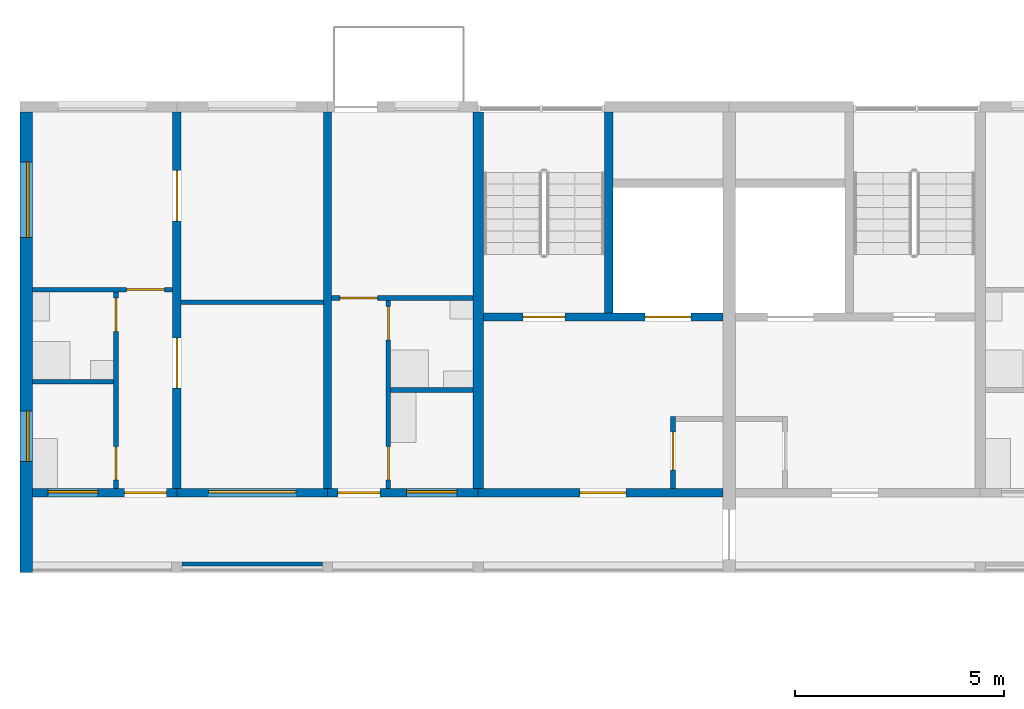
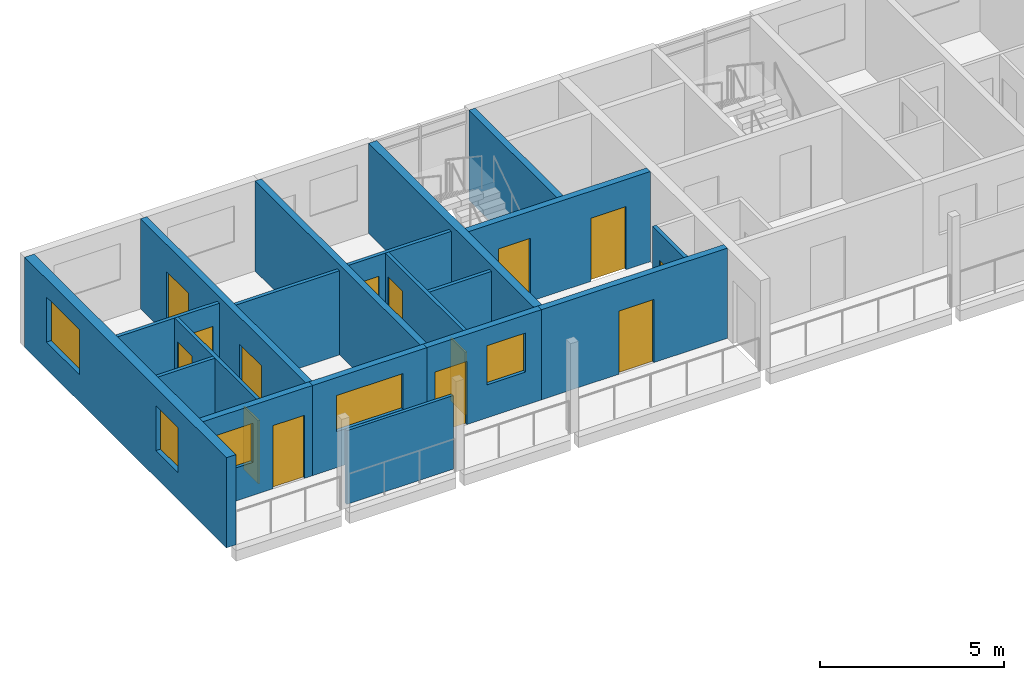
# One storey, part 35 of 100: 19 walls, 14 doors, 5 windows, 19 openings.
"""IFC4 building model written with IfcOpenShell, lengths in metres."""

from ifc_helpers import new_model, si_unit, direction, frame, frame_2d, origin, place, context, subcontext, project, spatial, rectangle, extrude, material, layer, layer_set, type_object, element, fill, save


model = new_model("IFC4")

# Units and contexts
model_context = context("Model", 3, precision=1e-05, world=origin(), true_north=direction((0.0, 1.0)))
body_context = subcontext(model_context, "Body", "Model", "MODEL_VIEW")
ifc_project = project(units=[si_unit("LENGTHUNIT", "METRE"), si_unit("AREAUNIT", "SQUARE_METRE"), si_unit("VOLUMEUNIT", "CUBIC_METRE"), si_unit("PLANEANGLEUNIT", "RADIAN"), si_unit("MASSUNIT", "GRAM", prefix="KILO")], contexts=[model_context])

# Site, building, storey
site_placement = place(None, origin())
site = spatial("IfcSite", under=ifc_project, at=site_placement, CompositionType="ELEMENT")
building_placement = place(site_placement, origin())
building = spatial("IfcBuilding", under=site, at=building_placement, Name="Ridgestep Commons", CompositionType="ELEMENT")
storey_placement = place(building_placement, frame((0.0, 0.0, 9.0)))
storey = spatial("IfcBuildingStorey", under=building, at=storey_placement, Name="L03", CompositionType="ELEMENT", Elevation=9.0)

# Wall
ifc_material_1 = material(Name="Concrete C30/37", Category="concrete")
ifc_layer_1 = layer(ifc_material_1, 0.25)
ifc_layer_set_1 = layer_set([ifc_layer_1], Name="Core cross wall 250")
wall_type_1 = type_object("IfcWallType", Name="Core cross wall 250", PredefinedType="SHEAR", material=ifc_layer_set_1)
wall_1_placement = place(storey_placement, frame((22.800048828125, 68.0, 0.0), z_axis=(0.0, 0.0, 1.0), x_axis=(0.0, 1.0, 0.0)))
element("IfcWall", 1, at=wall_1_placement, inside=storey, type_object=wall_type_1, Name="Cross wall B-03-0228", PredefinedType="SHEAR", context=body_context, shape_type="SweptSolid", body=[
    extrude(rectangle(XDim=9.0, YDim=0.25, at=frame_2d((4.5, 0.0))), origin(), (0.0, 0.0, 1.0), 3.0),
])

# Wall, opening, door
ifc_material_2 = material(Name="Concrete C30/37", Category="concrete")
ifc_layer_2 = layer(ifc_material_2, 0.199951171875)
ifc_layer_set_2 = layer_set([ifc_layer_2], Name="Core south wall 200")
wall_type_2 = type_object("IfcWallType", Name="Core south wall 200", PredefinedType="SHEAR", material=ifc_layer_set_2)
wall_2_placement = place(storey_placement, frame((22.800048828125, 67.89990234375, 0.0), z_axis=(0.0, 0.0, 1.0), x_axis=(1.0, 0.0, 0.0)))
wall_2 = element("IfcWall", 2, at=wall_2_placement, inside=storey, type_object=wall_type_2, Name="Core south wall B1C L03", PredefinedType="SHEAR", context=body_context, shape_type="SweptSolid", body=[
    extrude(rectangle(XDim=5.849853515625, YDim=0.199951171875, at=frame_2d((2.9248046875, 0.0))), origin(), (0.0, 0.0, 1.0), 3.0),
])
opening_1_placement = place(wall_2_placement, frame((2.4375, 0.0, 0.0)))
opening_1 = element("IfcOpeningElement", 3, at=opening_1_placement, cuts=wall_2, Name="Opening B1C/03/1", PredefinedType="OPENING", context=body_context, shape_type="SweptSolid", body=[
    extrude(rectangle(XDim=1.10009765625, YDim=2.10009765625, at=frame_2d((0.550048828125, 1.050048828125))), frame((0.0, 0.10986328125, 0.0), z_axis=(0.0, -1.0, 0.0), x_axis=(1.0, 0.0, 0.0)), (0.0, 0.0, 1.0), 0.219970703125),
])
ifc_material_3 = material(Name="Steel fire door", Category="steel")
door_type_1 = type_object("IfcDoorType", Name="Lobby door 1100 x 2100 FD60", OperationType="NOTDEFINED", PredefinedType="DOOR", material=ifc_material_3)
door_1_placement = place(opening_1_placement, origin())
door_1 = element("IfcDoor", 4, at=door_1_placement, inside=storey, type_object=door_type_1, Name="Lobby door B1C/03/1", OperationType="SINGLE_SWING_LEFT", OverallHeight=2.10009765625, OverallWidth=1.10009765625, PredefinedType="DOOR", context=body_context, shape_type="SweptSolid", body=[
    extrude(rectangle(XDim=1.10009765625, YDim=2.10009765625, at=frame_2d((0.550048828125, 1.050048828125))), frame((0.0, 0.02490234375, 0.0), z_axis=(0.0, -1.0, 0.0), x_axis=(1.0, 0.0, 0.0)), (0.0, 0.0, 1.0), 0.050048828125),
])
fill(opening_1, door_1)

ifc_material_4 = material(Name="Concrete C30/37", Category="concrete")
ifc_layer_3 = layer(ifc_material_4, 0.1201171875)
ifc_layer_set_3 = layer_set([ifc_layer_3], Name="Core wall 120")
wall_type_3 = type_object("IfcWallType", Name="Core wall 120", PredefinedType="SHEAR", material=ifc_layer_set_3)
wall_3_placement = place(storey_placement, frame((27.4599609375, 68.0, 0.0), z_axis=(0.0, 0.0, 1.0), x_axis=(0.0, 1.0, 0.0)))
wall_3 = element("IfcWall", 5, at=wall_3_placement, inside=storey, type_object=wall_type_3, Name="Core riser w wall B1C L03", PredefinedType="SHEAR", context=body_context, shape_type="SweptSolid", body=[
    extrude(rectangle(XDim=1.719970703125, YDim=0.1201171875, at=frame_2d((0.85986328125, 0.0))), origin(), (0.0, 0.0, 1.0), 3.0),
])
opening_2_placement = place(wall_3_placement, frame((0.449951171875, 0.0, 0.0)))
opening_2 = element("IfcOpeningElement", 6, at=opening_2_placement, cuts=wall_3, Name="Opening B1C/03/4", PredefinedType="OPENING", context=body_context, shape_type="SweptSolid", body=[
    extrude(rectangle(XDim=0.89990234375, YDim=2.10009765625, at=frame_2d((0.449951171875, 1.050048828125))), frame((0.0, 0.070068359375, 0.0), z_axis=(0.0, -1.0, 0.0), x_axis=(1.0, 0.0, 0.0)), (0.0, 0.0, 1.0), 0.14013671875),
])
ifc_material_5 = material(Name="Steel fire door", Category="steel")
door_type_2 = type_object("IfcDoorType", Name="Riser door 900 x 2100 FD60", OperationType="NOTDEFINED", PredefinedType="DOOR", material=ifc_material_5)
door_2_placement = place(opening_2_placement, origin())
door_2 = element("IfcDoor", 7, at=door_2_placement, inside=storey, type_object=door_type_2, Name="Riser door B1C/03/4", OperationType="SINGLE_SWING_LEFT", OverallHeight=2.10009765625, OverallWidth=0.89990234375, PredefinedType="DOOR", context=body_context, shape_type="SweptSolid", body=[
    extrude(rectangle(XDim=0.89990234375, YDim=2.10009765625, at=frame_2d((0.449951171875, 1.050048828125))), frame((0.0, 0.02490234375, 0.0), z_axis=(0.0, -1.0, 0.0), x_axis=(1.0, 0.0, 0.0)), (0.0, 0.0, 1.0), 0.050048828125),
])
fill(opening_2, door_2)

# Wall, openings, doors
ifc_material_6 = material(Name="Concrete C30/37", Category="concrete")
ifc_layer_4 = layer(ifc_material_6, 0.199951171875)
ifc_layer_set_4 = layer_set([ifc_layer_4], Name="Core wall 200")
wall_type_4 = type_object("IfcWallType", Name="Core wall 200", PredefinedType="SHEAR", material=ifc_layer_set_4)
wall_4_placement = place(storey_placement, frame((22.925048828125, 72.10009765625, 0.0), z_axis=(0.0, 0.0, 1.0), x_axis=(1.0, 0.0, 0.0)))
wall_4 = element("IfcWall", 8, at=wall_4_placement, inside=storey, type_object=wall_type_4, Name="Core lobby wall B1C L03", PredefinedType="SHEAR", context=body_context, shape_type="SweptSolid", body=[
    extrude(rectangle(XDim=5.724853515625, YDim=0.199951171875, at=frame_2d((2.8623046875, 0.0))), origin(), (0.0, 0.0, 1.0), 3.0),
])
opening_3_placement = place(wall_4_placement, frame((0.949951171875, 0.0, 0.0)))
opening_3 = element("IfcOpeningElement", 9, at=opening_3_placement, cuts=wall_4, Name="Opening B1C/03/2", PredefinedType="OPENING", context=body_context, shape_type="SweptSolid", body=[
    extrude(rectangle(XDim=1.0, YDim=2.10009765625, at=frame_2d((0.5, 1.050048828125))), frame((0.0, 0.10986328125, 0.0), z_axis=(0.0, -1.0, 0.0), x_axis=(1.0, 0.0, 0.0)), (0.0, 0.0, 1.0), 0.219970703125),
])
opening_4_placement = place(wall_4_placement, frame((3.862548828125, 0.0, 0.0)))
opening_4 = element("IfcOpeningElement", 10, at=opening_4_placement, cuts=wall_4, Name="Opening B1C/03/3", PredefinedType="OPENING", context=body_context, shape_type="SweptSolid", body=[
    extrude(rectangle(XDim=1.10009765625, YDim=2.10009765625, at=frame_2d((0.550048828125, 1.050048828125))), frame((0.0, 0.10986328125, 0.0), z_axis=(0.0, -1.0, 0.0), x_axis=(1.0, 0.0, 0.0)), (0.0, 0.0, 1.0), 0.219970703125),
])
ifc_material_7 = material(Name="Stainless steel", Category="steel")
door_type_3 = type_object("IfcDoorType", Name="Lift landing door 1100 x 2100 FD60", OperationType="DOUBLE_DOOR_SLIDING", PredefinedType="DOOR", material=ifc_material_7)
door_3_placement = place(opening_4_placement, origin())
door_3 = element("IfcDoor", 11, at=door_3_placement, inside=storey, type_object=door_type_3, Name="Landing door LD B1C L03", OperationType="DOUBLE_DOOR_SLIDING", OverallHeight=2.10009765625, OverallWidth=1.10009765625, PredefinedType="DOOR", context=body_context, shape_type="SweptSolid", body=[
    extrude(rectangle(XDim=1.10009765625, YDim=2.10009765625, at=frame_2d((0.550048828125, 1.050048828125))), frame((0.0, 0.02490234375, 0.0), z_axis=(0.0, -1.0, 0.0), x_axis=(1.0, 0.0, 0.0)), (0.0, 0.0, 1.0), 0.050048828125),
])
fill(opening_4, door_3)
ifc_material_8 = material(Name="Steel fire door", Category="steel")
door_type_4 = type_object("IfcDoorType", Name="Stair door 1000 x 2100 FD60", OperationType="NOTDEFINED", PredefinedType="DOOR", material=ifc_material_8)
door_4_placement = place(opening_3_placement, origin())
door_4 = element("IfcDoor", 12, at=door_4_placement, inside=storey, type_object=door_type_4, Name="Stair door B1C/03/2", OperationType="SINGLE_SWING_RIGHT", OverallHeight=2.10009765625, OverallWidth=1.0, PredefinedType="DOOR", context=body_context, shape_type="SweptSolid", body=[
    extrude(rectangle(XDim=1.0, YDim=2.10009765625, at=frame_2d((0.5, 1.050048828125))), frame((0.0, 0.02490234375, 0.0), z_axis=(0.0, -1.0, 0.0), x_axis=(1.0, 0.0, 0.0)), (0.0, 0.0, 1.0), 0.050048828125),
])
fill(opening_3, door_4)

# Wall
wall_5_placement = place(storey_placement, frame((25.925048828125, 72.199951171875, 0.0), z_axis=(0.0, 0.0, 1.0), x_axis=(0.0, 1.0, 0.0)))
element("IfcWall", 13, at=wall_5_placement, inside=storey, type_object=wall_type_4, Name="Core stair wall B1C L03", PredefinedType="SHEAR", context=body_context, shape_type="SweptSolid", body=[
    extrude(rectangle(XDim=4.800048828125, YDim=0.199951171875, at=frame_2d((2.39990234375, 0.0))), origin(), (0.0, 0.0, 1.0), 3.0),
])

# Wall, openings, doors
ifc_material_9 = material(Name="Precast concrete C40/50", Category="concrete")
ifc_layer_5 = layer(ifc_material_9, 0.199951171875)
ifc_layer_set_5 = layer_set([ifc_layer_5], Name="Cross wall 200")
wall_type_5 = type_object("IfcWallType", Name="Cross wall 200", PredefinedType="SHEAR", material=ifc_layer_set_5)
wall_6_placement = place(storey_placement, frame((15.60009765625, 68.0, 0.0), z_axis=(0.0, 0.0, 1.0), x_axis=(0.0, 1.0, 0.0)))
wall_6 = element("IfcWall", 14, at=wall_6_placement, inside=storey, type_object=wall_type_5, Name="Cross wall B-03-0156", PredefinedType="SHEAR", context=body_context, shape_type="SweptSolid", body=[
    extrude(rectangle(XDim=9.0, YDim=0.199951171875, at=frame_2d((4.5, 0.0))), origin(), (0.0, 0.0, 1.0), 3.0),
])
opening_5_placement = place(wall_6_placement, frame((2.39990234375, 0.0, 0.0)))
opening_5 = element("IfcOpeningElement", 15, at=opening_5_placement, cuts=wall_6, Name="Opening B1-03a/5", PredefinedType="OPENING", context=body_context, shape_type="SweptSolid", body=[
    extrude(rectangle(XDim=1.199951171875, YDim=2.10009765625, at=frame_2d((0.60009765625, 1.050048828125))), frame((0.0, 0.10986328125, 0.0), z_axis=(0.0, -1.0, 0.0), x_axis=(1.0, 0.0, 0.0)), (0.0, 0.0, 1.0), 0.219970703125),
])
opening_6_placement = place(wall_6_placement, frame((6.39990234375, 0.0, 0.0)))
opening_6 = element("IfcOpeningElement", 16, at=opening_6_placement, cuts=wall_6, Name="Opening B1-03a/6", PredefinedType="OPENING", context=body_context, shape_type="SweptSolid", body=[
    extrude(rectangle(XDim=1.199951171875, YDim=2.10009765625, at=frame_2d((0.60009765625, 1.050048828125))), frame((0.0, 0.10986328125, 0.0), z_axis=(0.0, -1.0, 0.0), x_axis=(1.0, 0.0, 0.0)), (0.0, 0.0, 1.0), 0.219970703125),
])
ifc_material_10 = material(Name="Timber door leaf", Category="wood")
door_type_5 = type_object("IfcDoorType", Name="Double door 1200 x 2100", OperationType="DOUBLE_DOOR_SINGLE_SWING", PredefinedType="DOOR", material=ifc_material_10)
door_5_placement = place(opening_5_placement, origin())
door_5 = element("IfcDoor", 17, at=door_5_placement, inside=storey, type_object=door_type_5, Name="Double door B1-03a/5", OperationType="DOUBLE_DOOR_SINGLE_SWING", OverallHeight=2.10009765625, OverallWidth=1.199951171875, PredefinedType="DOOR", context=body_context, shape_type="SweptSolid", body=[
    extrude(rectangle(XDim=1.199951171875, YDim=2.10009765625, at=frame_2d((0.60009765625, 1.050048828125))), frame((0.0, 0.02490234375, 0.0), z_axis=(0.0, -1.0, 0.0), x_axis=(1.0, 0.0, 0.0)), (0.0, 0.0, 1.0), 0.050048828125),
])
fill(opening_5, door_5)
door_6_placement = place(opening_6_placement, origin())
door_6 = element("IfcDoor", 18, at=door_6_placement, inside=storey, type_object=door_type_5, Name="Double door B1-03a/6", OperationType="DOUBLE_DOOR_SINGLE_SWING", OverallHeight=2.10009765625, OverallWidth=1.199951171875, PredefinedType="DOOR", context=body_context, shape_type="SweptSolid", body=[
    extrude(rectangle(XDim=1.199951171875, YDim=2.10009765625, at=frame_2d((0.60009765625, 1.050048828125))), frame((0.0, 0.02490234375, 0.0), z_axis=(0.0, -1.0, 0.0), x_axis=(1.0, 0.0, 0.0)), (0.0, 0.0, 1.0), 0.050048828125),
])
fill(opening_6, door_6)

# Wall
wall_7_placement = place(storey_placement, frame((19.199951171875, 68.0, 0.0), z_axis=(0.0, 0.0, 1.0), x_axis=(0.0, 1.0, 0.0)))
element("IfcWall", 19, at=wall_7_placement, inside=storey, type_object=wall_type_5, Name="Cross wall B-03-0192", PredefinedType="SHEAR", context=body_context, shape_type="SweptSolid", body=[
    extrude(rectangle(XDim=9.0, YDim=0.199951171875, at=frame_2d((4.5, 0.0))), origin(), (0.0, 0.0, 1.0), 3.0),
])

# Wall, openings, windows
ifc_material_11 = material(Name="Precast concrete C40/50", Category="concrete")
ifc_layer_6 = layer(ifc_material_11, 0.300048828125)
ifc_layer_set_6 = layer_set([ifc_layer_6], Name="Exposed division wall 300")
wall_type_6 = type_object("IfcWallType", Name="Exposed division wall 300", PredefinedType="SHEAR", material=ifc_layer_set_6)
wall_8_placement = place(storey_placement, frame((12.0, 66.0, 0.0), z_axis=(0.0, 0.0, 1.0), x_axis=(0.0, 1.0, 0.0)))
wall_8 = element("IfcWall", 20, at=wall_8_placement, inside=storey, type_object=wall_type_6, Name="Cross wall B-03-0120", PredefinedType="SHEAR", context=body_context, shape_type="SweptSolid", body=[
    extrude(rectangle(XDim=11.0, YDim=0.300048828125, at=frame_2d((5.5, 0.0))), origin(), (0.0, 0.0, 1.0), 3.0),
])
opening_7_placement = place(wall_8_placement, frame((2.64990234375, 0.0, 0.89990234375)))
opening_7 = element("IfcOpeningElement", 21, at=opening_7_placement, cuts=wall_8, Name="Opening W10", PredefinedType="OPENING", context=body_context, shape_type="SweptSolid", body=[
    extrude(rectangle(XDim=1.199951171875, YDim=1.5, at=frame_2d((0.60009765625, 0.75))), frame((0.0, 0.159912109375, 0.0), z_axis=(0.0, -1.0, 0.0), x_axis=(1.0, 0.0, 0.0)), (0.0, 0.0, 1.0), 0.320068359375),
])
opening_8_placement = place(wall_8_placement, frame((8.0048828125, 0.0, 0.89990234375)))
opening_8 = element("IfcOpeningElement", 22, at=opening_8_placement, cuts=wall_8, Name="Opening W20", PredefinedType="OPENING", context=body_context, shape_type="SweptSolid", body=[
    extrude(rectangle(XDim=1.800048828125, YDim=1.5, at=frame_2d((0.89990234375, 0.75))), frame((0.0, 0.159912109375, 0.0), z_axis=(0.0, -1.0, 0.0), x_axis=(1.0, 0.0, 0.0)), (0.0, 0.0, 1.0), 0.320068359375),
])
ifc_material_12 = material(Name="Aluminium 6063-T6 and glass", Category="aluminium")
window_type_1 = type_object("IfcWindowType", Name="Flat window 1200 x 1500", PartitioningType="SINGLE_PANEL", PredefinedType="WINDOW", material=ifc_material_12)
window_1_placement = place(opening_7_placement, origin())
window_1 = element("IfcWindow", 23, at=window_1_placement, inside=storey, type_object=window_type_1, Name="Window B1-03a 5", OverallHeight=1.5, OverallWidth=1.199951171875, PartitioningType="SINGLE_PANEL", PredefinedType="WINDOW", context=body_context, shape_type="SweptSolid", body=[
    extrude(rectangle(XDim=1.199951171875, YDim=1.5, at=frame_2d((0.60009765625, 0.75))), frame((0.0, 0.0, 0.0), z_axis=(0.0, -1.0, 0.0), x_axis=(1.0, 0.0, 0.0)), (0.0, 0.0, 1.0), 0.06005859375),
])
fill(opening_7, window_1)
ifc_material_13 = material(Name="Aluminium 6063-T6 and glass", Category="aluminium")
window_type_2 = type_object("IfcWindowType", Name="Flat window 1800 x 1500", PartitioningType="DOUBLE_PANEL_VERTICAL", PredefinedType="WINDOW", material=ifc_material_13)
window_2_placement = place(opening_8_placement, origin())
window_2 = element("IfcWindow", 24, at=window_2_placement, inside=storey, type_object=window_type_2, Name="Window B1-03a 6", OverallHeight=1.5, OverallWidth=1.800048828125, PartitioningType="SINGLE_PANEL", PredefinedType="WINDOW", context=body_context, shape_type="SweptSolid", body=[
    extrude(rectangle(XDim=1.800048828125, YDim=1.5, at=frame_2d((0.89990234375, 0.75))), frame((0.0, 0.0, 0.0), z_axis=(0.0, -1.0, 0.0), x_axis=(1.0, 0.0, 0.0)), (0.0, 0.0, 1.0), 0.06005859375),
])
fill(opening_8, window_2)

# Wall
ifc_material_14 = material(Name="Common brick 110 mm", Category="masonry")
ifc_layer_7 = layer(ifc_material_14, 0.110107421875)
ifc_layer_set_7 = layer_set([ifc_layer_7], Name="Partition 110")
wall_type_7 = type_object("IfcWallType", Name="Partition 110", PredefinedType="PARTITIONING", material=ifc_layer_set_7)
wall_9_placement = place(storey_placement, frame((12.14990234375, 70.554931640625, 0.0), z_axis=(0.0, 0.0, 1.0), x_axis=(1.0, 0.0, 0.0)))
element("IfcWall", 25, at=wall_9_placement, inside=storey, type_object=wall_type_7, Name="Partition B1-03a", PredefinedType="PARTITIONING", context=body_context, shape_type="SweptSolid", body=[
    extrude(rectangle(XDim=1.940185546875, YDim=0.110107421875, at=frame_2d((0.97021484375, 0.0))), origin(), (0.0, 0.0, 1.0), 2.800048828125),
])

# Wall, openings, doors
wall_10_placement = place(storey_placement, frame((14.14501953125, 68.0, 0.0), z_axis=(0.0, 0.0, 1.0), x_axis=(0.0, 1.0, 0.0)))
wall_10 = element("IfcWall", 26, at=wall_10_placement, inside=storey, type_object=wall_type_7, Name="Partition B1-03a", PredefinedType="PARTITIONING", context=body_context, shape_type="SweptSolid", body=[
    extrude(rectangle(XDim=4.699951171875, YDim=0.110107421875, at=frame_2d((2.35009765625, 0.0))), origin(), (0.0, 0.0, 1.0), 2.800048828125),
])
opening_9_placement = place(wall_10_placement, frame((0.199951171875, 0.0, 0.0)))
opening_9 = element("IfcOpeningElement", 27, at=opening_9_placement, cuts=wall_10, Name="Opening B1-03a/2", PredefinedType="OPENING", context=body_context, shape_type="SweptSolid", body=[
    extrude(rectangle(XDim=0.800048828125, YDim=2.10009765625, at=frame_2d((0.39990234375, 1.050048828125))), frame((0.0, 0.06494140625, 0.0), z_axis=(0.0, -1.0, 0.0), x_axis=(1.0, 0.0, 0.0)), (0.0, 0.0, 1.0), 0.130126953125),
])
opening_10_placement = place(wall_10_placement, frame((3.75, 0.0, 0.0)))
opening_10 = element("IfcOpeningElement", 28, at=opening_10_placement, cuts=wall_10, Name="Opening B1-03a/3", PredefinedType="OPENING", context=body_context, shape_type="SweptSolid", body=[
    extrude(rectangle(XDim=0.800048828125, YDim=2.10009765625, at=frame_2d((0.39990234375, 1.050048828125))), frame((0.0, 0.06494140625, 0.0), z_axis=(0.0, -1.0, 0.0), x_axis=(1.0, 0.0, 0.0)), (0.0, 0.0, 1.0), 0.130126953125),
])
ifc_material_15 = material(Name="Timber door leaf", Category="wood")
door_type_6 = type_object("IfcDoorType", Name="Internal door 800 x 2100", OperationType="NOTDEFINED", PredefinedType="DOOR", material=ifc_material_15)
door_7_placement = place(opening_9_placement, origin())
door_7 = element("IfcDoor", 29, at=door_7_placement, inside=storey, type_object=door_type_6, Name="Internal door B1-03a/2", OperationType="SINGLE_SWING_LEFT", OverallHeight=2.10009765625, OverallWidth=0.800048828125, PredefinedType="DOOR", context=body_context, shape_type="SweptSolid", body=[
    extrude(rectangle(XDim=0.800048828125, YDim=2.10009765625, at=frame_2d((0.39990234375, 1.050048828125))), frame((0.0, 0.02490234375, 0.0), z_axis=(0.0, -1.0, 0.0), x_axis=(1.0, 0.0, 0.0)), (0.0, 0.0, 1.0), 0.050048828125),
])
fill(opening_9, door_7)
door_8_placement = place(opening_10_placement, origin())
door_8 = element("IfcDoor", 30, at=door_8_placement, inside=storey, type_object=door_type_6, Name="Internal door B1-03a/3", OperationType="SINGLE_SWING_RIGHT", OverallHeight=2.10009765625, OverallWidth=0.800048828125, PredefinedType="DOOR", context=body_context, shape_type="SweptSolid", body=[
    extrude(rectangle(XDim=0.800048828125, YDim=2.10009765625, at=frame_2d((0.39990234375, 1.050048828125))), frame((0.0, 0.02490234375, 0.0), z_axis=(0.0, -1.0, 0.0), x_axis=(1.0, 0.0, 0.0)), (0.0, 0.0, 1.0), 0.050048828125),
])
fill(opening_10, door_8)

# Wall, opening, door
wall_11_placement = place(storey_placement, frame((12.14990234375, 72.7548828125, 0.0), z_axis=(0.0, 0.0, 1.0), x_axis=(1.0, 0.0, 0.0)))
wall_11 = element("IfcWall", 31, at=wall_11_placement, inside=storey, type_object=wall_type_7, Name="Partition B1-03a", PredefinedType="PARTITIONING", context=body_context, shape_type="SweptSolid", body=[
    extrude(rectangle(XDim=3.35009765625, YDim=0.110107421875, at=frame_2d((1.675048828125, 0.0))), origin(), (0.0, 0.0, 1.0), 2.800048828125),
])
opening_11_placement = place(wall_11_placement, frame((2.25, 0.0, 0.0)))
opening_11 = element("IfcOpeningElement", 32, at=opening_11_placement, cuts=wall_11, Name="Opening B1-03a/4", PredefinedType="OPENING", context=body_context, shape_type="SweptSolid", body=[
    extrude(rectangle(XDim=0.89990234375, YDim=2.10009765625, at=frame_2d((0.449951171875, 1.050048828125))), frame((0.0, 0.06494140625, 0.0), z_axis=(0.0, -1.0, 0.0), x_axis=(1.0, 0.0, 0.0)), (0.0, 0.0, 1.0), 0.130126953125),
])
ifc_material_16 = material(Name="Timber door leaf", Category="wood")
door_type_7 = type_object("IfcDoorType", Name="Internal door 900 x 2100", OperationType="NOTDEFINED", PredefinedType="DOOR", material=ifc_material_16)
door_9_placement = place(opening_11_placement, origin())
door_9 = element("IfcDoor", 33, at=door_9_placement, inside=storey, type_object=door_type_7, Name="Internal door B1-03a/4", OperationType="SINGLE_SWING_LEFT", OverallHeight=2.10009765625, OverallWidth=0.89990234375, PredefinedType="DOOR", context=body_context, shape_type="SweptSolid", body=[
    extrude(rectangle(XDim=0.89990234375, YDim=2.10009765625, at=frame_2d((0.449951171875, 1.050048828125))), frame((0.0, 0.02490234375, 0.0), z_axis=(0.0, -1.0, 0.0), x_axis=(1.0, 0.0, 0.0)), (0.0, 0.0, 1.0), 0.050048828125),
])
fill(opening_11, door_9)

# Wall
wall_12_placement = place(storey_placement, frame((15.699951171875, 72.455078125, 0.0), z_axis=(0.0, 0.0, 1.0), x_axis=(1.0, 0.0, 0.0)))
element("IfcWall", 34, at=wall_12_placement, inside=storey, type_object=wall_type_7, Name="Partition B1-03a", PredefinedType="PARTITIONING", context=body_context, shape_type="SweptSolid", body=[
    extrude(rectangle(XDim=3.400146484375, YDim=0.110107421875, at=frame_2d((1.7001953125, 0.0))), origin(), (0.0, 0.0, 1.0), 2.800048828125),
])

# Wall, openings, doors
wall_13_placement = place(storey_placement, frame((20.655029296875, 68.0, 0.0), z_axis=(0.0, 0.0, 1.0), x_axis=(0.0, 1.0, 0.0)))
wall_13 = element("IfcWall", 35, at=wall_13_placement, inside=storey, type_object=wall_type_7, Name="Partition B1-03b", PredefinedType="PARTITIONING", context=body_context, shape_type="SweptSolid", body=[
    extrude(rectangle(XDim=4.5, YDim=0.110107421875, at=frame_2d((2.25, 0.0))), origin(), (0.0, 0.0, 1.0), 2.800048828125),
])
opening_12_placement = place(wall_13_placement, frame((0.199951171875, 0.0, 0.0)))
opening_12 = element("IfcOpeningElement", 36, at=opening_12_placement, cuts=wall_13, Name="Opening B1-03b/2", PredefinedType="OPENING", context=body_context, shape_type="SweptSolid", body=[
    extrude(rectangle(XDim=0.800048828125, YDim=2.10009765625, at=frame_2d((0.39990234375, 1.050048828125))), frame((0.0, 0.06494140625, 0.0), z_axis=(0.0, -1.0, 0.0), x_axis=(1.0, 0.0, 0.0)), (0.0, 0.0, 1.0), 0.130126953125),
])
opening_13_placement = place(wall_13_placement, frame((3.550048828125, 0.0, 0.0)))
opening_13 = element("IfcOpeningElement", 37, at=opening_13_placement, cuts=wall_13, Name="Opening B1-03b/3", PredefinedType="OPENING", context=body_context, shape_type="SweptSolid", body=[
    extrude(rectangle(XDim=0.800048828125, YDim=2.10009765625, at=frame_2d((0.39990234375, 1.050048828125))), frame((0.0, 0.06494140625, 0.0), z_axis=(0.0, -1.0, 0.0), x_axis=(1.0, 0.0, 0.0)), (0.0, 0.0, 1.0), 0.130126953125),
])
door_10_placement = place(opening_12_placement, origin())
door_10 = element("IfcDoor", 38, at=door_10_placement, inside=storey, type_object=door_type_6, Name="Internal door B1-03b/2", OperationType="SINGLE_SWING_RIGHT", OverallHeight=2.10009765625, OverallWidth=0.800048828125, PredefinedType="DOOR", context=body_context, shape_type="SweptSolid", body=[
    extrude(rectangle(XDim=0.800048828125, YDim=2.10009765625, at=frame_2d((0.39990234375, 1.050048828125))), frame((0.0, 0.02490234375, 0.0), z_axis=(0.0, -1.0, 0.0), x_axis=(1.0, 0.0, 0.0)), (0.0, 0.0, 1.0), 0.050048828125),
])
fill(opening_12, door_10)
door_11_placement = place(opening_13_placement, origin())
door_11 = element("IfcDoor", 39, at=door_11_placement, inside=storey, type_object=door_type_6, Name="Internal door B1-03b/3", OperationType="SINGLE_SWING_LEFT", OverallHeight=2.10009765625, OverallWidth=0.800048828125, PredefinedType="DOOR", context=body_context, shape_type="SweptSolid", body=[
    extrude(rectangle(XDim=0.800048828125, YDim=2.10009765625, at=frame_2d((0.39990234375, 1.050048828125))), frame((0.0, 0.02490234375, 0.0), z_axis=(0.0, -1.0, 0.0), x_axis=(1.0, 0.0, 0.0)), (0.0, 0.0, 1.0), 0.050048828125),
])
fill(opening_13, door_11)

# Wall
wall_14_placement = place(storey_placement, frame((20.7099609375, 70.35498046875, 0.0), z_axis=(0.0, 0.0, 1.0), x_axis=(1.0, 0.0, 0.0)))
element("IfcWall", 40, at=wall_14_placement, inside=storey, type_object=wall_type_7, Name="Partition B1-03b", PredefinedType="PARTITIONING", context=body_context, shape_type="SweptSolid", body=[
    extrude(rectangle(XDim=1.965087890625, YDim=0.110107421875, at=frame_2d((0.982421875, 0.0))), origin(), (0.0, 0.0, 1.0), 2.800048828125),
])

# Wall, opening, door
wall_15_placement = place(storey_placement, frame((19.300048828125, 72.554931640625, 0.0), z_axis=(0.0, 0.0, 1.0), x_axis=(1.0, 0.0, 0.0)))
wall_15 = element("IfcWall", 41, at=wall_15_placement, inside=storey, type_object=wall_type_7, Name="Partition B1-03b", PredefinedType="PARTITIONING", context=body_context, shape_type="SweptSolid", body=[
    extrude(rectangle(XDim=3.375, YDim=0.110107421875, at=frame_2d((1.6875, 0.0))), origin(), (0.0, 0.0, 1.0), 2.800048828125),
])
opening_14_placement = place(wall_15_placement, frame((0.199951171875, 0.0, 0.0)))
opening_14 = element("IfcOpeningElement", 42, at=opening_14_placement, cuts=wall_15, Name="Opening B1-03b/4", PredefinedType="OPENING", context=body_context, shape_type="SweptSolid", body=[
    extrude(rectangle(XDim=0.89990234375, YDim=2.10009765625, at=frame_2d((0.449951171875, 1.050048828125))), frame((0.0, 0.06494140625, 0.0), z_axis=(0.0, -1.0, 0.0), x_axis=(1.0, 0.0, 0.0)), (0.0, 0.0, 1.0), 0.130126953125),
])
door_12_placement = place(opening_14_placement, origin())
door_12 = element("IfcDoor", 43, at=door_12_placement, inside=storey, type_object=door_type_7, Name="Internal door B1-03b/4", OperationType="SINGLE_SWING_RIGHT", OverallHeight=2.10009765625, OverallWidth=0.89990234375, PredefinedType="DOOR", context=body_context, shape_type="SweptSolid", body=[
    extrude(rectangle(XDim=0.89990234375, YDim=2.10009765625, at=frame_2d((0.449951171875, 1.050048828125))), frame((0.0, 0.02490234375, 0.0), z_axis=(0.0, -1.0, 0.0), x_axis=(1.0, 0.0, 0.0)), (0.0, 0.0, 1.0), 0.050048828125),
])
fill(opening_14, door_12)

# Wall
ifc_material_17 = material(Name="Precast concrete C30/37", Category="concrete")
ifc_layer_8 = layer(ifc_material_17, 0.10009765625)
ifc_layer_set_8 = layer_set([ifc_layer_8], Name="Perforated gallery screen 3350 x 2450 x 100")
wall_type_8 = type_object("IfcWallType", Name="Perforated gallery screen 3350 x 2450 x 100", PredefinedType="SOLIDWALL", material=ifc_layer_set_8)
wall_16_placement = place(storey_placement, frame((15.72509765625, 66.199951171875, 0.0), z_axis=(0.0, 0.0, 1.0), x_axis=(1.0, 0.0, 0.0)))
element("IfcWall", 44, at=wall_16_placement, inside=storey, type_object=wall_type_8, Name="Gallery screen B1T2 03", PredefinedType="SOLIDWALL", context=body_context, shape_type="SweptSolid", body=[
    extrude(rectangle(XDim=3.349853515625, YDim=0.10009765625, at=frame_2d((1.6748046875, 0.0))), origin(), (0.0, 0.0, 1.0), 2.449951171875),
])

# Wall, openings, door, window
ifc_material_18 = material(Name="Precast concrete C40/50", Category="concrete")
ifc_layer_9 = layer(ifc_material_18, 0.199951171875)
ifc_layer_set_9 = layer_set([ifc_layer_9], Name="South facade panel 200")
wall_type_9 = type_object("IfcWallType", Name="South facade panel 200", PredefinedType="SOLIDWALL", material=ifc_layer_set_9)
wall_17_placement = place(storey_placement, frame((12.14990234375, 67.89990234375, 0.0), z_axis=(0.0, 0.0, 1.0), x_axis=(1.0, 0.0, 0.0)))
wall_17 = element("IfcWall", 45, at=wall_17_placement, inside=storey, type_object=wall_type_9, Name="South panel B1T1 L03", PredefinedType="SOLIDWALL", context=body_context, shape_type="SweptSolid", body=[
    extrude(rectangle(XDim=3.4501953125, YDim=0.199951171875, at=frame_2d((1.72509765625, 0.0))), origin(), (0.0, 0.0, 1.0), 3.0),
])
opening_15_placement = place(wall_17_placement, frame((0.3701171875, 0.0, 1.10009765625)))
opening_15 = element("IfcOpeningElement", 46, at=opening_15_placement, cuts=wall_17, Name="Opening W08", PredefinedType="OPENING", context=body_context, shape_type="SweptSolid", body=[
    extrude(rectangle(XDim=1.199951171875, YDim=1.300048828125, at=frame_2d((0.60009765625, 0.64990234375))), frame((0.0, 0.10986328125, 0.0), z_axis=(0.0, -1.0, 0.0), x_axis=(1.0, 0.0, 0.0)), (0.0, 0.0, 1.0), 0.219970703125),
])
opening_16_placement = place(wall_17_placement, frame((2.199951171875, 0.0, 0.0)))
opening_16 = element("IfcOpeningElement", 47, at=opening_16_placement, cuts=wall_17, Name="Opening B1-03a/1", PredefinedType="OPENING", context=body_context, shape_type="SweptSolid", body=[
    extrude(rectangle(XDim=1.0, YDim=2.10009765625, at=frame_2d((0.5, 1.050048828125))), frame((0.0, 0.10986328125, 0.0), z_axis=(0.0, -1.0, 0.0), x_axis=(1.0, 0.0, 0.0)), (0.0, 0.0, 1.0), 0.219970703125),
])
ifc_material_19 = material(Name="Timber door leaf", Category="wood")
door_type_8 = type_object("IfcDoorType", Name="Flat entrance door 1000 x 2100 FD30S", OperationType="NOTDEFINED", PredefinedType="DOOR", material=ifc_material_19)
door_13_placement = place(opening_16_placement, origin())
door_13 = element("IfcDoor", 48, at=door_13_placement, inside=storey, type_object=door_type_8, Name="Flat entrance door B1-03a/1", OperationType="SINGLE_SWING_RIGHT", OverallHeight=2.10009765625, OverallWidth=1.0, PredefinedType="DOOR", context=body_context, shape_type="SweptSolid", body=[
    extrude(rectangle(XDim=1.0, YDim=2.10009765625, at=frame_2d((0.5, 1.050048828125))), frame((0.0, 0.02490234375, 0.0), z_axis=(0.0, -1.0, 0.0), x_axis=(1.0, 0.0, 0.0)), (0.0, 0.0, 1.0), 0.050048828125),
])
fill(opening_16, door_13)
ifc_material_20 = material(Name="Aluminium 6063-T6 and glass", Category="aluminium")
window_type_3 = type_object("IfcWindowType", Name="Flat window 1200 x 1300", PartitioningType="SINGLE_PANEL", PredefinedType="WINDOW", material=ifc_material_20)
window_3_placement = place(opening_15_placement, origin())
window_3 = element("IfcWindow", 49, at=window_3_placement, inside=storey, type_object=window_type_3, Name="Window B1-03a 3", OverallHeight=1.300048828125, OverallWidth=1.199951171875, PartitioningType="SINGLE_PANEL", PredefinedType="WINDOW", context=body_context, shape_type="SweptSolid", body=[
    extrude(rectangle(XDim=1.199951171875, YDim=1.300048828125, at=frame_2d((0.60009765625, 0.64990234375))), frame((0.0, 0.06005859375, 0.0), z_axis=(0.0, -1.0, 0.0), x_axis=(1.0, 0.0, 0.0)), (0.0, 0.0, 1.0), 0.06005859375),
])
fill(opening_15, window_3)

# Wall, opening, window
wall_18_placement = place(storey_placement, frame((15.60009765625, 67.89990234375, 0.0), z_axis=(0.0, 0.0, 1.0), x_axis=(1.0, 0.0, 0.0)))
wall_18 = element("IfcWall", 50, at=wall_18_placement, inside=storey, type_object=wall_type_9, Name="South panel B1T2 L03", PredefinedType="SOLIDWALL", context=body_context, shape_type="SweptSolid", body=[
    extrude(rectangle(XDim=3.599853515625, YDim=0.199951171875, at=frame_2d((1.7998046875, 0.0))), origin(), (0.0, 0.0, 1.0), 3.0),
])
opening_17_placement = place(wall_18_placement, frame((0.75, 0.0, 1.199951171875)))
opening_17 = element("IfcOpeningElement", 51, at=opening_17_placement, cuts=wall_18, Name="Opening W22", PredefinedType="OPENING", context=body_context, shape_type="SweptSolid", body=[
    extrude(rectangle(XDim=2.10009765625, YDim=1.199951171875, at=frame_2d((1.050048828125, 0.60009765625))), frame((0.0, 0.10986328125, 0.0), z_axis=(0.0, -1.0, 0.0), x_axis=(1.0, 0.0, 0.0)), (0.0, 0.0, 1.0), 0.219970703125),
])
ifc_material_21 = material(Name="Aluminium 6063-T6 and glass", Category="aluminium")
window_type_4 = type_object("IfcWindowType", Name="Flat window 2100 x 1200", PartitioningType="DOUBLE_PANEL_VERTICAL", PredefinedType="WINDOW", material=ifc_material_21)
window_4_placement = place(opening_17_placement, origin())
window_4 = element("IfcWindow", 52, at=window_4_placement, inside=storey, type_object=window_type_4, Name="Window B1-03a 1", OverallHeight=1.199951171875, OverallWidth=2.10009765625, PartitioningType="SINGLE_PANEL", PredefinedType="WINDOW", context=body_context, shape_type="SweptSolid", body=[
    extrude(rectangle(XDim=2.10009765625, YDim=1.199951171875, at=frame_2d((1.050048828125, 0.60009765625))), frame((0.0, 0.06005859375, 0.0), z_axis=(0.0, -1.0, 0.0), x_axis=(1.0, 0.0, 0.0)), (0.0, 0.0, 1.0), 0.06005859375),
])
fill(opening_17, window_4)

# Wall, openings, door, window
wall_19_placement = place(storey_placement, frame((19.199951171875, 67.89990234375, 0.0), z_axis=(0.0, 0.0, 1.0), x_axis=(1.0, 0.0, 0.0)))
wall_19 = element("IfcWall", 53, at=wall_19_placement, inside=storey, type_object=wall_type_9, Name="South panel B1T3 L03", PredefinedType="SOLIDWALL", context=body_context, shape_type="SweptSolid", body=[
    extrude(rectangle(XDim=3.60009765625, YDim=0.199951171875, at=frame_2d((1.800048828125, 0.0))), origin(), (0.0, 0.0, 1.0), 3.0),
])
opening_18_placement = place(wall_19_placement, frame((1.892578125, 0.0, 1.10009765625)))
opening_18 = element("IfcOpeningElement", 54, at=opening_18_placement, cuts=wall_19, Name="Opening W08", PredefinedType="OPENING", context=body_context, shape_type="SweptSolid", body=[
    extrude(rectangle(XDim=1.199951171875, YDim=1.300048828125, at=frame_2d((0.60009765625, 0.64990234375))), frame((0.0, 0.10986328125, 0.0), z_axis=(0.0, -1.0, 0.0), x_axis=(1.0, 0.0, 0.0)), (0.0, 0.0, 1.0), 0.219970703125),
])
opening_19_placement = place(wall_19_placement, frame((0.25, 0.0, 0.0)))
opening_19 = element("IfcOpeningElement", 55, at=opening_19_placement, cuts=wall_19, Name="Opening B1-03b/1", PredefinedType="OPENING", context=body_context, shape_type="SweptSolid", body=[
    extrude(rectangle(XDim=1.0, YDim=2.10009765625, at=frame_2d((0.5, 1.050048828125))), frame((0.0, 0.10986328125, 0.0), z_axis=(0.0, -1.0, 0.0), x_axis=(1.0, 0.0, 0.0)), (0.0, 0.0, 1.0), 0.219970703125),
])
door_14_placement = place(opening_19_placement, origin())
door_14 = element("IfcDoor", 56, at=door_14_placement, inside=storey, type_object=door_type_8, Name="Flat entrance door B1-03b/1", OperationType="SINGLE_SWING_LEFT", OverallHeight=2.10009765625, OverallWidth=1.0, PredefinedType="DOOR", context=body_context, shape_type="SweptSolid", body=[
    extrude(rectangle(XDim=1.0, YDim=2.10009765625, at=frame_2d((0.5, 1.050048828125))), frame((0.0, 0.02490234375, 0.0), z_axis=(0.0, -1.0, 0.0), x_axis=(1.0, 0.0, 0.0)), (0.0, 0.0, 1.0), 0.050048828125),
])
fill(opening_19, door_14)
window_5_placement = place(opening_18_placement, origin())
window_5 = element("IfcWindow", 57, at=window_5_placement, inside=storey, type_object=window_type_3, Name="Window B1-03b 1", OverallHeight=1.300048828125, OverallWidth=1.199951171875, PartitioningType="SINGLE_PANEL", PredefinedType="WINDOW", context=body_context, shape_type="SweptSolid", body=[
    extrude(rectangle(XDim=1.199951171875, YDim=1.300048828125, at=frame_2d((0.60009765625, 0.64990234375))), frame((0.0, 0.06005859375, 0.0), z_axis=(0.0, -1.0, 0.0), x_axis=(1.0, 0.0, 0.0)), (0.0, 0.0, 1.0), 0.06005859375),
])
fill(opening_18, window_5)

save(model, "model.ifc")
